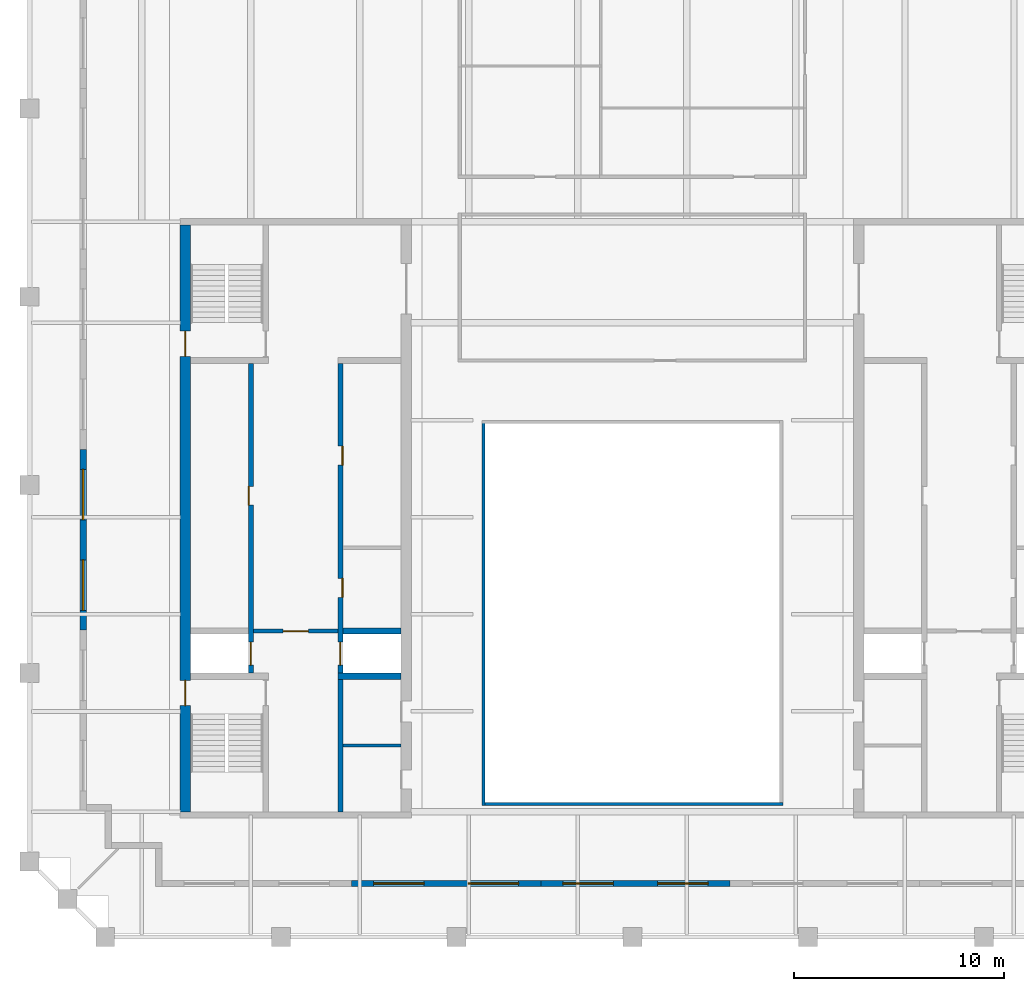
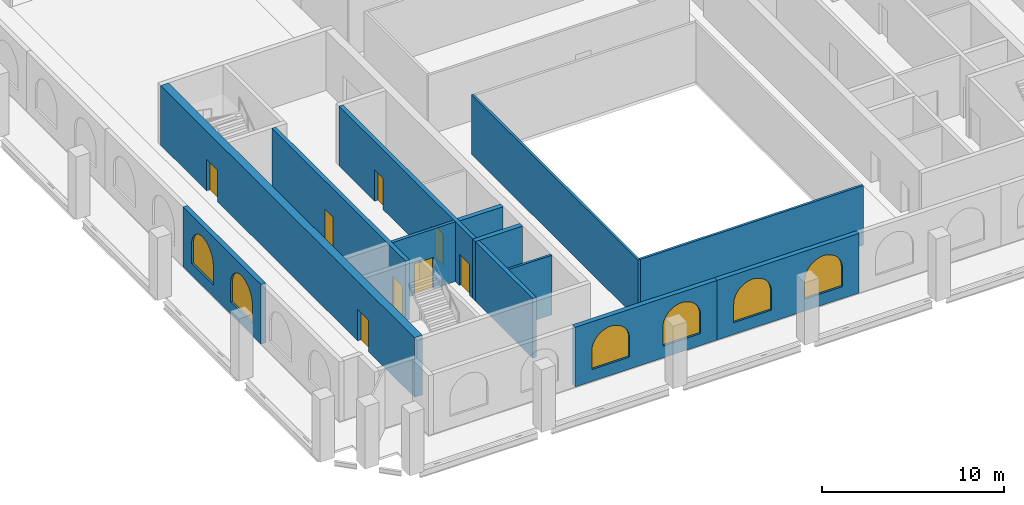
# One storey, part 3 of 9: 12 walls, 8 doors, 6 windows, 14 openings.
"""IFC4 building model written with IfcOpenShell, lengths in metres."""

from ifc_helpers import new_model, si_unit, direction, frame, frame_2d, origin, place, context, subcontext, project, spatial, polyline, rectangle, outline, extrude, material, layer, layer_set, type_object, element, fill, save


model = new_model("IFC4")

# Units and contexts
model_context = context("Model", 3, precision=1e-05, world=origin(), true_north=direction((0.0, 1.0)))
body_context = subcontext(model_context, "Body", "Model", "MODEL_VIEW")
ifc_project = project(units=[si_unit("LENGTHUNIT", "METRE"), si_unit("AREAUNIT", "SQUARE_METRE"), si_unit("VOLUMEUNIT", "CUBIC_METRE"), si_unit("PLANEANGLEUNIT", "RADIAN"), si_unit("MASSUNIT", "GRAM", prefix="KILO")], contexts=[model_context])

# Site, building, storey
site_placement = place(None, origin())
site = spatial("IfcSite", under=ifc_project, at=site_placement, CompositionType="ELEMENT")
building_placement = place(site_placement, origin())
building = spatial("IfcBuilding", under=site, at=building_placement, Name="Ogive Exchange Tower", CompositionType="ELEMENT")
storey_placement = place(building_placement, frame((0.0, 0.0, 373.199951171875)))
storey = spatial("IfcBuildingStorey", under=building, at=storey_placement, Name="C02", CompositionType="ELEMENT", Elevation=373.199951171875)

# Walls
ifc_material_1 = material(Name="Gypsum board partition")
ifc_layer_1 = layer(ifc_material_1, 0.14990234375)
ifc_layer_set_1 = layer_set([ifc_layer_1], Name="Core room partition 150 gypsum")
wall_type_1 = type_object("IfcWallType", Name="Core room partition 150 gypsum", PredefinedType="PARTITIONING", material=ifc_layer_set_1)
wall_1_placement = place(storey_placement, frame((-13.75, 0.699951171875, 0.0), z_axis=(0.0, 0.0, 1.0), x_axis=(1.0, 0.0, 0.0)))
element("IfcWall", 1, at=wall_1_placement, inside=storey, type_object=wall_type_1, Name="W south room partition", PredefinedType="PARTITIONING", context=body_context, shape_type="SweptSolid", body=[
    extrude(rectangle(XDim=2.75, YDim=0.14990234375, at=frame_2d((1.375, 0.0))), origin(), (0.0, 0.0, 1.0), 4.0),
])
ifc_material_2 = material(Name="Fire-resisting glass in steel frame", Category="steel")
ifc_layer_2 = layer(ifc_material_2, 0.14990234375)
ifc_layer_set_2 = layer_set([ifc_layer_2], Name="Fire-rated glazed wall 150")
wall_type_2 = type_object("IfcWallType", Name="Fire-rated glazed wall 150", PredefinedType="STANDARD", material=ifc_layer_set_2)
wall_2_placement = place(storey_placement, frame((-7.074951171875, -2.14990234375, 0.0), z_axis=(0.0, 0.0, 1.0), x_axis=(0.0, 1.0, 0.0)))
element("IfcWall", 2, at=wall_2_placement, inside=storey, type_object=wall_type_2, Name="Nave enclosure wall 1", PredefinedType="STANDARD", context=body_context, shape_type="SweptSolid", body=[
    extrude(rectangle(XDim=18.2998046875, YDim=0.14990234375, at=frame_2d((9.14990234375, 0.0))), origin(), (0.0, 0.0, 1.0), 4.0),
])
wall_3_placement = place(storey_placement, frame((7.14990234375, -2.074951171875, 0.0), z_axis=(0.0, 0.0, 1.0), x_axis=(-1.0, 0.0, 0.0)))
element("IfcWall", 3, at=wall_3_placement, inside=storey, type_object=wall_type_2, Name="Nave enclosure wall 4", PredefinedType="STANDARD", context=body_context, shape_type="SweptSolid", body=[
    extrude(rectangle(XDim=14.14990234375, YDim=0.14990234375, at=frame_2d((7.074951171875, 0.0))), origin(), (0.0, 0.0, 1.0), 4.0),
])

# Wall, opening, door
ifc_material_3 = material(Name="Concrete C70/85", Category="concrete")
ifc_layer_3 = layer(ifc_material_3, 0.199951171875)
ifc_layer_set_3 = layer_set([ifc_layer_3], Name="RC core wall 200 C70/85")
wall_type_3 = type_object("IfcWallType", Name="RC core wall 200 C70/85", PredefinedType="SHEAR", material=ifc_layer_set_3)
wall_4_placement = place(storey_placement, frame((-18.0, 6.142822265625, 0.0), z_axis=(0.0, 0.0, 1.0), x_axis=(1.0, 0.0, 0.0)))
wall_4 = element("IfcWall", 4, at=wall_4_placement, inside=storey, type_object=wall_type_3, Name="W firefighting lobby wall", PredefinedType="SHEAR", context=body_context, shape_type="SweptSolid", body=[
    extrude(rectangle(XDim=4.0, YDim=0.199951171875, at=frame_2d((2.0, 0.0))), origin(), (0.0, 0.0, 1.0), 4.0),
])
opening_1_placement = place(wall_4_placement, frame((1.39990234375, 0.0, 0.0)))
opening_1 = element("IfcOpeningElement", 5, at=opening_1_placement, cuts=wall_4, Name="Opening C02-C06", PredefinedType="OPENING", context=body_context, shape_type="SweptSolid", body=[
    extrude(rectangle(XDim=1.199951171875, YDim=2.10009765625, at=frame_2d((0.60009765625, 1.050048828125))), frame((0.0, 0.10986328125, 0.0), z_axis=(0.0, -1.0, 0.0), x_axis=(1.0, 0.0, 0.0)), (0.0, 0.0, 1.0), 0.219970703125),
])
ifc_material_4 = material(Name="Steel fire door", Category="steel")
door_type_1 = type_object("IfcDoorType", Name="Firefighting lobby door FD60 1200 x 2100", OperationType="NOTDEFINED", PredefinedType="DOOR", material=ifc_material_4)
door_1_placement = place(opening_1_placement, frame((1.199951171875, 0.0, 0.0), z_axis=(0.0, 0.0, 1.0), x_axis=(-1.0, 0.0, 0.0)))
door_1 = element("IfcDoor", 6, at=door_1_placement, inside=storey, type_object=door_type_1, Name="Firefighting lobby door", ObjectType="CD3", OperationType="SINGLE_SWING_RIGHT", OverallHeight=2.10009765625, OverallWidth=1.199951171875, PredefinedType="DOOR", context=body_context, shape_type="SweptSolid", body=[
    extrude(rectangle(XDim=1.199951171875, YDim=2.10009765625, at=frame_2d((0.60009765625, 1.050048828125))), frame((0.0, 0.02490234375, 0.0), z_axis=(0.0, -1.0, 0.0), x_axis=(1.0, 0.0, 0.0)), (0.0, 0.0, 1.0), 0.050048828125),
])
fill(opening_1, door_1)

# Wall, openings, doors
ifc_layer_4 = layer(ifc_material_3, 0.25)
ifc_layer_set_4 = layer_set([ifc_layer_4], Name="RC core wall 250 C70/85")
wall_type_4 = type_object("IfcWallType", Name="RC core wall 250 C70/85", PredefinedType="SHEAR", material=ifc_layer_set_4)
wall_5_placement = place(storey_placement, frame((-18.125, 4.14990234375, 0.0), z_axis=(0.0, 0.0, 1.0), x_axis=(0.0, 1.0, 0.0)))
wall_5 = element("IfcWall", 7, at=wall_5_placement, inside=storey, type_object=wall_type_4, Name="W row A front wall", PredefinedType="SHEAR", context=body_context, shape_type="SweptSolid", body=[
    extrude(rectangle(XDim=14.7001953125, YDim=0.25, at=frame_2d((7.35009765625, 0.0))), origin(), (0.0, 0.0, 1.0), 4.0),
])
opening_2_placement = place(wall_5_placement, frame((7.971435546875, 0.0, 0.0)))
opening_2 = element("IfcOpeningElement", 8, at=opening_2_placement, cuts=wall_5, Name="Opening C02-C01", PredefinedType="OPENING", context=body_context, shape_type="SweptSolid", body=[
    extrude(rectangle(XDim=0.89990234375, YDim=2.10009765625, at=frame_2d((0.449951171875, 1.050048828125))), frame((0.0, 0.135009765625, 0.0), z_axis=(0.0, -1.0, 0.0), x_axis=(1.0, 0.0, 0.0)), (0.0, 0.0, 1.0), 0.27001953125),
])
opening_3_placement = place(wall_5_placement, frame((0.371337890625, 0.0, 0.0)))
opening_3 = element("IfcOpeningElement", 9, at=opening_3_placement, cuts=wall_5, Name="Opening C02-C02", PredefinedType="OPENING", context=body_context, shape_type="SweptSolid", body=[
    extrude(rectangle(XDim=1.10009765625, YDim=2.10009765625, at=frame_2d((0.550048828125, 1.050048828125))), frame((0.0, 0.135009765625, 0.0), z_axis=(0.0, -1.0, 0.0), x_axis=(1.0, 0.0, 0.0)), (0.0, 0.0, 1.0), 0.27001953125),
])
ifc_material_5 = material(Name="Stainless steel", Category="steel")
door_type_2 = type_object("IfcDoorType", Name="Lift landing door FD90 1100 x 2100", OperationType="SLIDING_TO_LEFT", PredefinedType="DOOR", material=ifc_material_5)
door_2_placement = place(opening_3_placement, origin())
door_2 = element("IfcDoor", 10, at=door_2_placement, inside=storey, type_object=door_type_2, Name="Lift landing door FF1", ObjectType="LD", OperationType="SLIDING_TO_LEFT", OverallHeight=2.10009765625, OverallWidth=1.10009765625, PredefinedType="DOOR", context=body_context, shape_type="SweptSolid", body=[
    extrude(rectangle(XDim=1.10009765625, YDim=2.10009765625, at=frame_2d((0.550048828125, 1.050048828125))), frame((0.0, 0.02490234375, 0.0), z_axis=(0.0, -1.0, 0.0), x_axis=(1.0, 0.0, 0.0)), (0.0, 0.0, 1.0), 0.050048828125),
])
fill(opening_3, door_2)
door_type_3 = type_object("IfcDoorType", Name="Riser door FD60 900 x 2100", OperationType="NOTDEFINED", PredefinedType="DOOR", material=ifc_material_4)
door_3_placement = place(opening_2_placement, origin())
door_3 = element("IfcDoor", 11, at=door_3_placement, inside=storey, type_object=door_type_3, Name="Riser door", ObjectType="CD2", OperationType="SINGLE_SWING_RIGHT", OverallHeight=2.10009765625, OverallWidth=0.89990234375, PredefinedType="DOOR", context=body_context, shape_type="SweptSolid", body=[
    extrude(rectangle(XDim=0.89990234375, YDim=2.10009765625, at=frame_2d((0.449951171875, 1.050048828125))), frame((0.0, 0.125, 0.0), z_axis=(0.0, -1.0, 0.0), x_axis=(1.0, 0.0, 0.0)), (0.0, 0.0, 1.0), 0.050048828125),
])
fill(opening_2, door_3)

wall_6_placement = place(storey_placement, frame((-13.875, -2.449951171875, 0.0), z_axis=(0.0, 0.0, 1.0), x_axis=(0.0, 1.0, 0.0)))
wall_6 = element("IfcWall", 12, at=wall_6_placement, inside=storey, type_object=wall_type_4, Name="W row B front wall", PredefinedType="SHEAR", context=body_context, shape_type="SweptSolid", body=[
    extrude(rectangle(XDim=21.300048828125, YDim=0.25, at=frame_2d((10.64990234375, 0.0))), origin(), (0.0, 0.0, 1.0), 4.0),
])
opening_4_placement = place(wall_6_placement, frame((10.1962890625, 0.0, 0.0)))
opening_4 = element("IfcOpeningElement", 13, at=opening_4_placement, cuts=wall_6, Name="Opening C02-C03", PredefinedType="OPENING", context=body_context, shape_type="SweptSolid", body=[
    extrude(rectangle(XDim=0.89990234375, YDim=2.10009765625, at=frame_2d((0.449951171875, 1.050048828125))), frame((0.0, 0.135009765625, 0.0), z_axis=(0.0, -1.0, 0.0), x_axis=(1.0, 0.0, 0.0)), (0.0, 0.0, 1.0), 0.27001953125),
])
opening_5_placement = place(wall_6_placement, frame((16.47509765625, 0.0, 0.0)))
opening_5 = element("IfcOpeningElement", 14, at=opening_5_placement, cuts=wall_6, Name="Opening C02-C04", PredefinedType="OPENING", context=body_context, shape_type="SweptSolid", body=[
    extrude(rectangle(XDim=0.89990234375, YDim=2.10009765625, at=frame_2d((0.449951171875, 1.050048828125))), frame((0.0, 0.135009765625, 0.0), z_axis=(0.0, -1.0, 0.0), x_axis=(1.0, 0.0, 0.0)), (0.0, 0.0, 1.0), 0.27001953125),
])
opening_6_placement = place(wall_6_placement, frame((6.971435546875, 0.0, 0.0)))
opening_6 = element("IfcOpeningElement", 15, at=opening_6_placement, cuts=wall_6, Name="Opening C02-C05", PredefinedType="OPENING", context=body_context, shape_type="SweptSolid", body=[
    extrude(rectangle(XDim=1.10009765625, YDim=2.10009765625, at=frame_2d((0.550048828125, 1.050048828125))), frame((0.0, 0.135009765625, 0.0), z_axis=(0.0, -1.0, 0.0), x_axis=(1.0, 0.0, 0.0)), (0.0, 0.0, 1.0), 0.27001953125),
])
door_4_placement = place(opening_6_placement, origin())
door_4 = element("IfcDoor", 16, at=door_4_placement, inside=storey, type_object=door_type_2, Name="Lift landing door SV1", ObjectType="LD", OperationType="SLIDING_TO_LEFT", OverallHeight=2.10009765625, OverallWidth=1.10009765625, PredefinedType="DOOR", context=body_context, shape_type="SweptSolid", body=[
    extrude(rectangle(XDim=1.10009765625, YDim=2.10009765625, at=frame_2d((0.550048828125, 1.050048828125))), frame((0.0, 0.02490234375, 0.0), z_axis=(0.0, -1.0, 0.0), x_axis=(1.0, 0.0, 0.0)), (0.0, 0.0, 1.0), 0.050048828125),
])
fill(opening_6, door_4)
door_5_placement = place(opening_4_placement, frame((0.89990234375, -0.2001953125, 0.0), z_axis=(0.0, 0.0, 1.0), x_axis=(-1.0, 0.0, 0.0)))
door_5 = element("IfcDoor", 17, at=door_5_placement, inside=storey, type_object=door_type_3, Name="Riser door", ObjectType="CD2", OperationType="SINGLE_SWING_LEFT", OverallHeight=2.10009765625, OverallWidth=0.89990234375, PredefinedType="DOOR", context=body_context, shape_type="SweptSolid", body=[
    extrude(rectangle(XDim=0.89990234375, YDim=2.10009765625, at=frame_2d((0.449951171875, 1.050048828125))), frame((0.0, -0.0751953125, 0.0), z_axis=(0.0, -1.0, 0.0), x_axis=(1.0, 0.0, 0.0)), (0.0, 0.0, 1.0), 0.050048828125),
])
fill(opening_4, door_5)
door_6_placement = place(opening_5_placement, frame((0.89990234375, -0.2001953125, 0.0), z_axis=(0.0, 0.0, 1.0), x_axis=(-1.0, 0.0, 0.0)))
door_6 = element("IfcDoor", 18, at=door_6_placement, inside=storey, type_object=door_type_3, Name="Riser door", ObjectType="CD2", OperationType="SINGLE_SWING_RIGHT", OverallHeight=2.10009765625, OverallWidth=0.89990234375, PredefinedType="DOOR", context=body_context, shape_type="SweptSolid", body=[
    extrude(rectangle(XDim=0.89990234375, YDim=2.10009765625, at=frame_2d((0.449951171875, 1.050048828125))), frame((0.0, -0.0751953125, 0.0), z_axis=(0.0, -1.0, 0.0), x_axis=(1.0, 0.0, 0.0)), (0.0, 0.0, 1.0), 0.050048828125),
])
fill(opening_5, door_6)

# Walls
ifc_layer_5 = layer(ifc_material_3, 0.300048828125)
ifc_layer_set_5 = layer_set([ifc_layer_5], Name="RC core wall 300 C70/85")
wall_type_5 = type_object("IfcWallType", Name="RC core wall 300 C70/85", PredefinedType="SHEAR", material=ifc_layer_set_5)
wall_7_placement = place(storey_placement, frame((-14.0, 4.0, 0.0), z_axis=(0.0, 0.0, 1.0), x_axis=(1.0, 0.0, 0.0)))
element("IfcWall", 19, at=wall_7_placement, inside=storey, type_object=wall_type_5, Name="W row B divider 0", PredefinedType="SHEAR", context=body_context, shape_type="SweptSolid", body=[
    extrude(rectangle(XDim=3.0, YDim=0.300048828125, at=frame_2d((1.5, 0.0))), origin(), (0.0, 0.0, 1.0), 4.0),
])
wall_8_placement = place(storey_placement, frame((-13.75, 6.142822265625, 0.0), z_axis=(0.0, 0.0, 1.0), x_axis=(1.0, 0.0, 0.0)))
element("IfcWall", 20, at=wall_8_placement, inside=storey, type_object=wall_type_5, Name="W row B divider 1", PredefinedType="SHEAR", context=body_context, shape_type="SweptSolid", body=[
    extrude(rectangle(XDim=2.75, YDim=0.300048828125, at=frame_2d((1.375, 0.0))), origin(), (0.0, 0.0, 1.0), 4.0),
])

# Wall, openings, doors
ifc_layer_6 = layer(ifc_material_3, 0.5)
ifc_layer_set_6 = layer_set([ifc_layer_6], Name="RC core wall 500 C70/85")
wall_type_6 = type_object("IfcWallType", Name="RC core wall 500 C70/85", PredefinedType="SHEAR", material=ifc_layer_set_6)
wall_9_placement = place(storey_placement, frame((-21.25, -2.449951171875, 0.0), z_axis=(0.0, 0.0, 1.0), x_axis=(0.0, 1.0, 0.0)))
wall_9 = element("IfcWall", 21, at=wall_9_placement, inside=storey, type_object=wall_type_6, Name="W outer wall", PredefinedType="SHEAR", context=body_context, shape_type="SweptSolid", body=[
    extrude(rectangle(XDim=27.89990234375, YDim=0.5, at=frame_2d((13.949951171875, 0.0))), origin(), (0.0, 0.0, 1.0), 4.0),
])
opening_7_placement = place(wall_9_placement, frame((5.050048828125, 0.0, 0.0)))
opening_7 = element("IfcOpeningElement", 22, at=opening_7_placement, cuts=wall_9, Name="Opening C02-C09", PredefinedType="OPENING", context=body_context, shape_type="SweptSolid", body=[
    extrude(rectangle(XDim=1.199951171875, YDim=2.10009765625, at=frame_2d((0.60009765625, 1.050048828125))), frame((0.0, 0.260009765625, 0.0), z_axis=(0.0, -1.0, 0.0), x_axis=(1.0, 0.0, 0.0)), (0.0, 0.0, 1.0), 0.52001953125),
])
opening_8_placement = place(wall_9_placement, frame((21.64990234375, 0.0, 0.0)))
opening_8 = element("IfcOpeningElement", 23, at=opening_8_placement, cuts=wall_9, Name="Opening C02-C11", PredefinedType="OPENING", context=body_context, shape_type="SweptSolid", body=[
    extrude(rectangle(XDim=1.199951171875, YDim=2.10009765625, at=frame_2d((0.60009765625, 1.050048828125))), frame((0.0, 0.260009765625, 0.0), z_axis=(0.0, -1.0, 0.0), x_axis=(1.0, 0.0, 0.0)), (0.0, 0.0, 1.0), 0.52001953125),
])
door_type_4 = type_object("IfcDoorType", Name="Stair door FD90 1200 x 2100", OperationType="NOTDEFINED", PredefinedType="DOOR", material=ifc_material_4)
door_7_placement = place(opening_7_placement, origin())
door_7 = element("IfcDoor", 24, at=door_7_placement, inside=storey, type_object=door_type_4, Name="Stair door", ObjectType="CD5", OperationType="SINGLE_SWING_RIGHT", OverallHeight=2.10009765625, OverallWidth=1.199951171875, PredefinedType="DOOR", context=body_context, shape_type="SweptSolid", body=[
    extrude(rectangle(XDim=1.199951171875, YDim=2.10009765625, at=frame_2d((0.60009765625, 1.050048828125))), frame((0.0, 0.02490234375, 0.0), z_axis=(0.0, -1.0, 0.0), x_axis=(1.0, 0.0, 0.0)), (0.0, 0.0, 1.0), 0.050048828125),
])
fill(opening_7, door_7)
door_8_placement = place(opening_8_placement, origin())
door_8 = element("IfcDoor", 25, at=door_8_placement, inside=storey, type_object=door_type_4, Name="Stair door", ObjectType="CD5", OperationType="SINGLE_SWING_LEFT", OverallHeight=2.10009765625, OverallWidth=1.199951171875, PredefinedType="DOOR", context=body_context, shape_type="SweptSolid", body=[
    extrude(rectangle(XDim=1.199951171875, YDim=2.10009765625, at=frame_2d((0.60009765625, 1.050048828125))), frame((0.0, 0.02490234375, 0.0), z_axis=(0.0, -1.0, 0.0), x_axis=(1.0, 0.0, 0.0)), (0.0, 0.0, 1.0), 0.050048828125),
])
fill(opening_8, door_8)

# Wall, openings, windows
ifc_material_6 = material(Name="Precast concrete C40/50", Category="concrete")
ifc_layer_7 = layer(ifc_material_6, 0.300048828125)
ifc_layer_set_7 = layer_set([ifc_layer_7], Name="Zinc-clad crown wall 300")
wall_type_7 = type_object("IfcWallType", Name="Zinc-clad crown wall 300", PredefinedType="STANDARD", material=ifc_layer_set_7)
wall_10_placement = place(storey_placement, frame((-13.35009765625, -5.85009765625, 0.0), z_axis=(0.0, 0.0, 1.0), x_axis=(1.0, 0.0, 0.0)))
wall_10 = element("IfcWall", 26, at=wall_10_placement, inside=storey, type_object=wall_type_7, Name="Crown wall 5", PredefinedType="STANDARD", context=body_context, shape_type="SweptSolid", body=[
    extrude(rectangle(XDim=9.0, YDim=0.300048828125, at=frame_2d((4.5, 0.0))), origin(), (0.0, 0.0, 1.0), 4.0),
])
opening_9_placement = place(wall_10_placement, frame((1.050048828125, 0.0, 0.800048828125)))
opening_9 = element("IfcOpeningElement", 27, at=opening_9_placement, cuts=wall_10, Name="Opening WC25", PredefinedType="OPENING", context=body_context, shape_type="SweptSolid", body=[
    extrude(outline(polyline([(0.0, 0.0), (2.39990234375, 0.0), (2.39990234375, 1.25), (2.377197265625, 1.48779296875), (2.3095703125, 1.717041015625), (2.19970703125, 1.928955078125), (2.05126953125, 2.116455078125), (1.8701171875, 2.272216796875), (1.662841796875, 2.390625), (1.4365234375, 2.467529296875), (1.199951171875, 2.5), (0.96337890625, 2.467529296875), (0.737060546875, 2.390625), (0.52978515625, 2.272216796875), (0.3486328125, 2.116455078125), (0.2001953125, 1.928955078125), (0.09033203125, 1.717041015625), (0.022705078125, 1.48779296875), (0.0, 1.25), (0.0, 0.0)])), frame((0.0, 0.159912109375, 0.0), z_axis=(0.0, -1.0, 0.0), x_axis=(1.0, 0.0, 0.0)), (0.0, 0.0, 1.0), 0.320068359375),
])
opening_10_placement = place(wall_10_placement, frame((5.550048828125, 0.0, 0.800048828125)))
opening_10 = element("IfcOpeningElement", 28, at=opening_10_placement, cuts=wall_10, Name="Opening WC25", PredefinedType="OPENING", context=body_context, shape_type="SweptSolid", body=[
    extrude(outline(polyline([(0.0, 0.0), (2.39990234375, 0.0), (2.39990234375, 1.25), (2.377197265625, 1.48779296875), (2.3095703125, 1.717041015625), (2.19970703125, 1.928955078125), (2.05126953125, 2.116455078125), (1.8701171875, 2.272216796875), (1.662841796875, 2.390625), (1.4365234375, 2.467529296875), (1.199951171875, 2.5), (0.96337890625, 2.467529296875), (0.737060546875, 2.390625), (0.52978515625, 2.272216796875), (0.3486328125, 2.116455078125), (0.2001953125, 1.928955078125), (0.09033203125, 1.717041015625), (0.022705078125, 1.48779296875), (0.0, 1.25), (0.0, 0.0)])), frame((0.0, 0.159912109375, 0.0), z_axis=(0.0, -1.0, 0.0), x_axis=(1.0, 0.0, 0.0)), (0.0, 0.0, 1.0), 0.320068359375),
])
ifc_material_7 = material(Name="Clear glass in bronze frame", Category="glass")
window_type = type_object("IfcWindowType", Name="Crown lancet window 2400 x 2500", PartitioningType="DOUBLE_PANEL_VERTICAL", PredefinedType="WINDOW", material=ifc_material_7)
window_1_placement = place(opening_9_placement, origin())
window_1 = element("IfcWindow", 29, at=window_1_placement, inside=storey, type_object=window_type, Name="Crown lancet 5.1", OverallHeight=2.5, OverallWidth=2.39990234375, PartitioningType="DOUBLE_PANEL_VERTICAL", PredefinedType="WINDOW", context=body_context, shape_type="SweptSolid", body=[
    extrude(outline(polyline([(0.0, 0.0), (2.39990234375, 0.0), (2.39990234375, 1.25), (2.377197265625, 1.48779296875), (2.3095703125, 1.717041015625), (2.19970703125, 1.928955078125), (2.05126953125, 2.116455078125), (1.8701171875, 2.272216796875), (1.662841796875, 2.390625), (1.4365234375, 2.467529296875), (1.199951171875, 2.5), (0.96337890625, 2.467529296875), (0.737060546875, 2.390625), (0.52978515625, 2.272216796875), (0.3486328125, 2.116455078125), (0.2001953125, 1.928955078125), (0.09033203125, 1.717041015625), (0.022705078125, 1.48779296875), (0.0, 1.25), (0.0, 0.0)])), frame((0.0, 0.030029296875, 0.0), z_axis=(0.0, -1.0, 0.0), x_axis=(1.0, 0.0, 0.0)), (0.0, 0.0, 1.0), 0.06005859375),
])
fill(opening_9, window_1)
window_2_placement = place(opening_10_placement, origin())
window_2 = element("IfcWindow", 30, at=window_2_placement, inside=storey, type_object=window_type, Name="Crown lancet 5.2", OverallHeight=2.5, OverallWidth=2.39990234375, PartitioningType="DOUBLE_PANEL_VERTICAL", PredefinedType="WINDOW", context=body_context, shape_type="SweptSolid", body=[
    extrude(outline(polyline([(0.0, 0.0), (2.39990234375, 0.0), (2.39990234375, 1.25), (2.377197265625, 1.48779296875), (2.3095703125, 1.717041015625), (2.19970703125, 1.928955078125), (2.05126953125, 2.116455078125), (1.8701171875, 2.272216796875), (1.662841796875, 2.390625), (1.4365234375, 2.467529296875), (1.199951171875, 2.5), (0.96337890625, 2.467529296875), (0.737060546875, 2.390625), (0.52978515625, 2.272216796875), (0.3486328125, 2.116455078125), (0.2001953125, 1.928955078125), (0.09033203125, 1.717041015625), (0.022705078125, 1.48779296875), (0.0, 1.25), (0.0, 0.0)])), frame((0.0, 0.030029296875, 0.0), z_axis=(0.0, -1.0, 0.0), x_axis=(1.0, 0.0, 0.0)), (0.0, 0.0, 1.0), 0.06005859375),
])
fill(opening_10, window_2)

wall_11_placement = place(storey_placement, frame((-4.35009765625, -5.85009765625, 0.0), z_axis=(0.0, 0.0, 1.0), x_axis=(1.0, 0.0, 0.0)))
wall_11 = element("IfcWall", 31, at=wall_11_placement, inside=storey, type_object=wall_type_7, Name="Crown wall 6", PredefinedType="STANDARD", context=body_context, shape_type="SweptSolid", body=[
    extrude(rectangle(XDim=9.0, YDim=0.300048828125, at=frame_2d((4.5, 0.0))), origin(), (0.0, 0.0, 1.0), 4.0),
])
opening_11_placement = place(wall_11_placement, frame((1.050048828125, 0.0, 0.800048828125)))
opening_11 = element("IfcOpeningElement", 32, at=opening_11_placement, cuts=wall_11, Name="Opening WC25", PredefinedType="OPENING", context=body_context, shape_type="SweptSolid", body=[
    extrude(outline(polyline([(0.0, 0.0), (2.39990234375, 0.0), (2.39990234375, 1.25), (2.377197265625, 1.48779296875), (2.3095703125, 1.717041015625), (2.19970703125, 1.928955078125), (2.05126953125, 2.116455078125), (1.8701171875, 2.272216796875), (1.662841796875, 2.390625), (1.4365234375, 2.467529296875), (1.199951171875, 2.5), (0.96337890625, 2.467529296875), (0.737060546875, 2.390625), (0.52978515625, 2.272216796875), (0.3486328125, 2.116455078125), (0.2001953125, 1.928955078125), (0.09033203125, 1.717041015625), (0.022705078125, 1.48779296875), (0.0, 1.25), (0.0, 0.0)])), frame((0.0, 0.159912109375, 0.0), z_axis=(0.0, -1.0, 0.0), x_axis=(1.0, 0.0, 0.0)), (0.0, 0.0, 1.0), 0.320068359375),
])
opening_12_placement = place(wall_11_placement, frame((5.550048828125, 0.0, 0.800048828125)))
opening_12 = element("IfcOpeningElement", 33, at=opening_12_placement, cuts=wall_11, Name="Opening WC25", PredefinedType="OPENING", context=body_context, shape_type="SweptSolid", body=[
    extrude(outline(polyline([(0.0, 0.0), (2.39990234375, 0.0), (2.39990234375, 1.25), (2.377197265625, 1.48779296875), (2.3095703125, 1.717041015625), (2.19970703125, 1.928955078125), (2.05126953125, 2.116455078125), (1.8701171875, 2.272216796875), (1.662841796875, 2.390625), (1.4365234375, 2.467529296875), (1.199951171875, 2.5), (0.96337890625, 2.467529296875), (0.737060546875, 2.390625), (0.52978515625, 2.272216796875), (0.3486328125, 2.116455078125), (0.2001953125, 1.928955078125), (0.09033203125, 1.717041015625), (0.022705078125, 1.48779296875), (0.0, 1.25), (0.0, 0.0)])), frame((0.0, 0.159912109375, 0.0), z_axis=(0.0, -1.0, 0.0), x_axis=(1.0, 0.0, 0.0)), (0.0, 0.0, 1.0), 0.320068359375),
])
window_3_placement = place(opening_11_placement, origin())
window_3 = element("IfcWindow", 34, at=window_3_placement, inside=storey, type_object=window_type, Name="Crown lancet 6.1", OverallHeight=2.5, OverallWidth=2.39990234375, PartitioningType="DOUBLE_PANEL_VERTICAL", PredefinedType="WINDOW", context=body_context, shape_type="SweptSolid", body=[
    extrude(outline(polyline([(0.0, 0.0), (2.39990234375, 0.0), (2.39990234375, 1.25), (2.377197265625, 1.48779296875), (2.3095703125, 1.717041015625), (2.19970703125, 1.928955078125), (2.05126953125, 2.116455078125), (1.8701171875, 2.272216796875), (1.662841796875, 2.390625), (1.4365234375, 2.467529296875), (1.199951171875, 2.5), (0.96337890625, 2.467529296875), (0.737060546875, 2.390625), (0.52978515625, 2.272216796875), (0.3486328125, 2.116455078125), (0.2001953125, 1.928955078125), (0.09033203125, 1.717041015625), (0.022705078125, 1.48779296875), (0.0, 1.25), (0.0, 0.0)])), frame((0.0, 0.030029296875, 0.0), z_axis=(0.0, -1.0, 0.0), x_axis=(1.0, 0.0, 0.0)), (0.0, 0.0, 1.0), 0.06005859375),
])
fill(opening_11, window_3)
window_4_placement = place(opening_12_placement, origin())
window_4 = element("IfcWindow", 35, at=window_4_placement, inside=storey, type_object=window_type, Name="Crown lancet 6.2", OverallHeight=2.5, OverallWidth=2.39990234375, PartitioningType="DOUBLE_PANEL_VERTICAL", PredefinedType="WINDOW", context=body_context, shape_type="SweptSolid", body=[
    extrude(outline(polyline([(0.0, 0.0), (2.39990234375, 0.0), (2.39990234375, 1.25), (2.377197265625, 1.48779296875), (2.3095703125, 1.717041015625), (2.19970703125, 1.928955078125), (2.05126953125, 2.116455078125), (1.8701171875, 2.272216796875), (1.662841796875, 2.390625), (1.4365234375, 2.467529296875), (1.199951171875, 2.5), (0.96337890625, 2.467529296875), (0.737060546875, 2.390625), (0.52978515625, 2.272216796875), (0.3486328125, 2.116455078125), (0.2001953125, 1.928955078125), (0.09033203125, 1.717041015625), (0.022705078125, 1.48779296875), (0.0, 1.25), (0.0, 0.0)])), frame((0.0, 0.030029296875, 0.0), z_axis=(0.0, -1.0, 0.0), x_axis=(1.0, 0.0, 0.0)), (0.0, 0.0, 1.0), 0.06005859375),
])
fill(opening_12, window_4)

wall_12_placement = place(storey_placement, frame((-26.10009765625, 14.7666015625, 0.0), z_axis=(0.0, 0.0, 1.0), x_axis=(0.0, -1.0, 0.0)))
wall_12 = element("IfcWall", 36, at=wall_12_placement, inside=storey, type_object=wall_type_7, Name="Crown wall 32", PredefinedType="STANDARD", context=body_context, shape_type="SweptSolid", body=[
    extrude(rectangle(XDim=8.583251953125, YDim=0.300048828125, at=frame_2d((4.29150390625, 0.0))), origin(), (0.0, 0.0, 1.0), 4.0),
])
opening_13_placement = place(wall_12_placement, frame((0.94580078125, 0.0, 0.800048828125)))
opening_13 = element("IfcOpeningElement", 37, at=opening_13_placement, cuts=wall_12, Name="Opening WC25", PredefinedType="OPENING", context=body_context, shape_type="SweptSolid", body=[
    extrude(outline(polyline([(0.0, 0.0), (2.39990234375, 0.0), (2.39990234375, 1.25), (2.377197265625, 1.48779296875), (2.3095703125, 1.717041015625), (2.19970703125, 1.928955078125), (2.05126953125, 2.116455078125), (1.8701171875, 2.272216796875), (1.662841796875, 2.390625), (1.4365234375, 2.467529296875), (1.199951171875, 2.5), (0.96337890625, 2.467529296875), (0.737060546875, 2.390625), (0.52978515625, 2.272216796875), (0.3486328125, 2.116455078125), (0.2001953125, 1.928955078125), (0.09033203125, 1.717041015625), (0.022705078125, 1.48779296875), (0.0, 1.25), (0.0, 0.0)])), frame((0.0, 0.159912109375, 0.0), z_axis=(0.0, -1.0, 0.0), x_axis=(1.0, 0.0, 0.0)), (0.0, 0.0, 1.0), 0.320068359375),
])
opening_14_placement = place(wall_12_placement, frame((5.237548828125, 0.0, 0.800048828125)))
opening_14 = element("IfcOpeningElement", 38, at=opening_14_placement, cuts=wall_12, Name="Opening WC25", PredefinedType="OPENING", context=body_context, shape_type="SweptSolid", body=[
    extrude(outline(polyline([(0.0, 0.0), (2.39990234375, 0.0), (2.39990234375, 1.25), (2.377197265625, 1.48779296875), (2.3095703125, 1.717041015625), (2.19970703125, 1.928955078125), (2.05126953125, 2.116455078125), (1.8701171875, 2.272216796875), (1.662841796875, 2.390625), (1.4365234375, 2.467529296875), (1.199951171875, 2.5), (0.96337890625, 2.467529296875), (0.737060546875, 2.390625), (0.52978515625, 2.272216796875), (0.3486328125, 2.116455078125), (0.2001953125, 1.928955078125), (0.09033203125, 1.717041015625), (0.022705078125, 1.48779296875), (0.0, 1.25), (0.0, 0.0)])), frame((0.0, 0.159912109375, 0.0), z_axis=(0.0, -1.0, 0.0), x_axis=(1.0, 0.0, 0.0)), (0.0, 0.0, 1.0), 0.320068359375),
])
window_5_placement = place(opening_13_placement, origin())
window_5 = element("IfcWindow", 39, at=window_5_placement, inside=storey, type_object=window_type, Name="Crown lancet 32.1", OverallHeight=2.5, OverallWidth=2.39990234375, PartitioningType="DOUBLE_PANEL_VERTICAL", PredefinedType="WINDOW", context=body_context, shape_type="SweptSolid", body=[
    extrude(outline(polyline([(0.0, 0.0), (2.39990234375, 0.0), (2.39990234375, 1.25), (2.377197265625, 1.48779296875), (2.3095703125, 1.717041015625), (2.19970703125, 1.928955078125), (2.05126953125, 2.116455078125), (1.8701171875, 2.272216796875), (1.662841796875, 2.390625), (1.4365234375, 2.467529296875), (1.199951171875, 2.5), (0.96337890625, 2.467529296875), (0.737060546875, 2.390625), (0.52978515625, 2.272216796875), (0.3486328125, 2.116455078125), (0.2001953125, 1.928955078125), (0.09033203125, 1.717041015625), (0.022705078125, 1.48779296875), (0.0, 1.25), (0.0, 0.0)])), frame((0.0, 0.030029296875, 0.0), z_axis=(0.0, -1.0, 0.0), x_axis=(1.0, 0.0, 0.0)), (0.0, 0.0, 1.0), 0.06005859375),
])
fill(opening_13, window_5)
window_6_placement = place(opening_14_placement, origin())
window_6 = element("IfcWindow", 40, at=window_6_placement, inside=storey, type_object=window_type, Name="Crown lancet 32.2", OverallHeight=2.5, OverallWidth=2.39990234375, PartitioningType="DOUBLE_PANEL_VERTICAL", PredefinedType="WINDOW", context=body_context, shape_type="SweptSolid", body=[
    extrude(outline(polyline([(0.0, 0.0), (2.39990234375, 0.0), (2.39990234375, 1.25), (2.377197265625, 1.48779296875), (2.3095703125, 1.717041015625), (2.19970703125, 1.928955078125), (2.05126953125, 2.116455078125), (1.8701171875, 2.272216796875), (1.662841796875, 2.390625), (1.4365234375, 2.467529296875), (1.199951171875, 2.5), (0.96337890625, 2.467529296875), (0.737060546875, 2.390625), (0.52978515625, 2.272216796875), (0.3486328125, 2.116455078125), (0.2001953125, 1.928955078125), (0.09033203125, 1.717041015625), (0.022705078125, 1.48779296875), (0.0, 1.25), (0.0, 0.0)])), frame((0.0, 0.030029296875, 0.0), z_axis=(0.0, -1.0, 0.0), x_axis=(1.0, 0.0, 0.0)), (0.0, 0.0, 1.0), 0.06005859375),
])
fill(opening_14, window_6)

save(model, "model.ifc")
